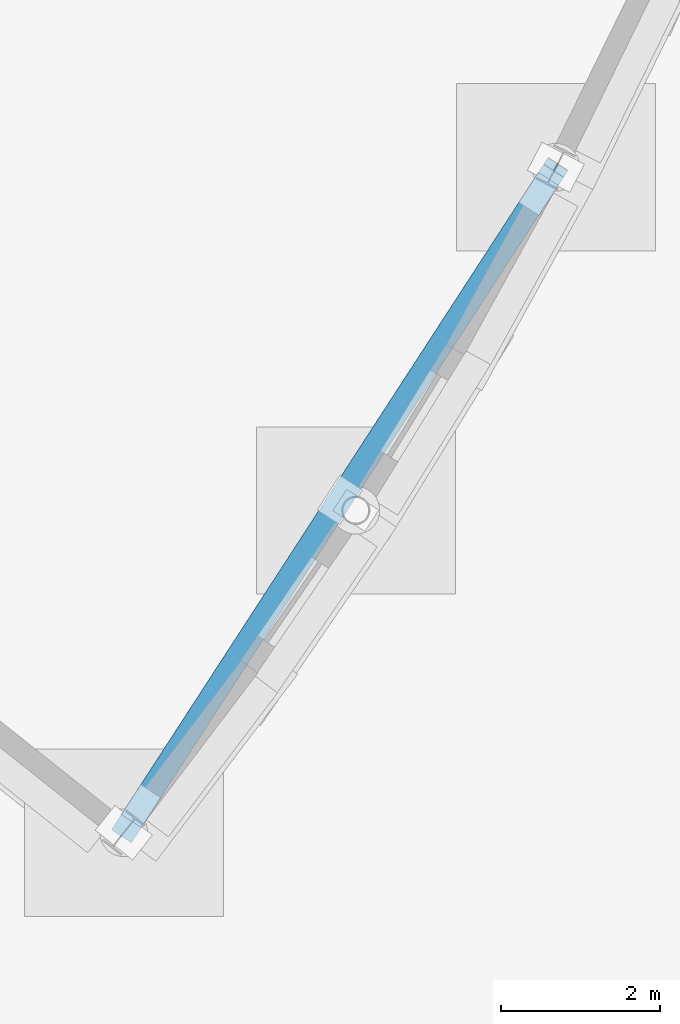
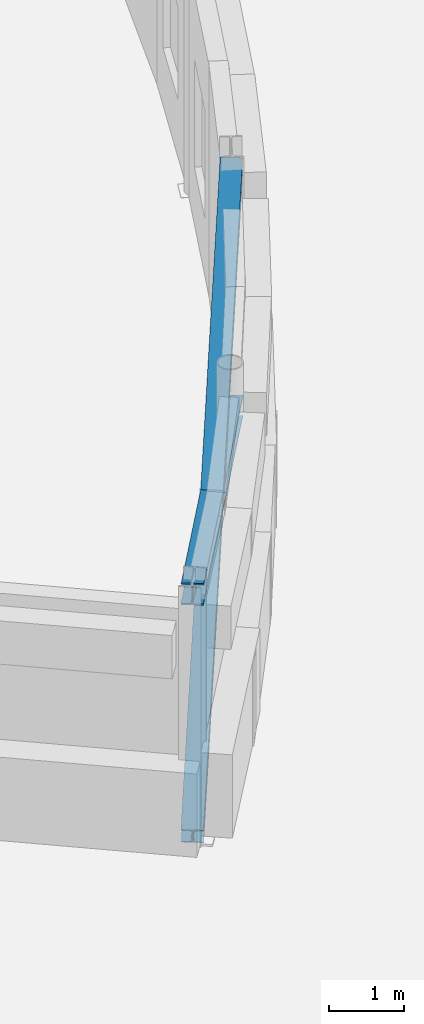
# One storey, part 37 of 88: 3 members.
"""IFC4 building model written with IfcOpenShell, lengths in metres."""

from ifc_helpers import new_model, si_unit, direction, frame, origin, origin_2d, place, context, subcontext, project, spatial, i_section, extrude, material, material_profile, profile_set, type_object, element, save


model = new_model("IFC4")

# Units and contexts
model_context = context("Model", 3, precision=1e-05, world=origin(), true_north=direction((0.0, 1.0)))
body_context = subcontext(model_context, "Body", "Model", "MODEL_VIEW")
ifc_project = project(units=[si_unit("LENGTHUNIT", "METRE"), si_unit("AREAUNIT", "SQUARE_METRE"), si_unit("VOLUMEUNIT", "CUBIC_METRE"), si_unit("PLANEANGLEUNIT", "RADIAN"), si_unit("MASSUNIT", "GRAM", prefix="KILO")], contexts=[model_context])

# Site, building, storey
site_placement = place(None, origin())
site = spatial("IfcSite", under=ifc_project, at=site_placement, CompositionType="ELEMENT")
building_placement = place(site_placement, origin())
building = spatial("IfcBuilding", under=site, at=building_placement, Name="Vanh Quang Courtyard School", CompositionType="ELEMENT")
storey_placement = place(building_placement, origin())
storey = spatial("IfcBuildingStorey", under=building, at=storey_placement, Name="L00", CompositionType="ELEMENT", Elevation=0.0)

# Members
ifc_material = material(Name="Structural steel EN 10025-2 S355J2", Category="steel")
ifc_material_profile = material_profile(ifc_material, i_section(OverallWidth=0.300048828125, OverallDepth=0.300048828125, WebThickness=0.010986328125, FlangeThickness=0.01904296875, FilletRadius=0.027099609375, at=origin_2d()), Name="HEB 300")
ifc_profile_set = profile_set([ifc_material_profile], Name="Structural steel EN 10025-2 S355J2")
member_type = type_object("IfcMemberType", Name="MEM-BRC-HEB300", PredefinedType="BRACE", material=ifc_profile_set)
member_placement = place(storey_placement, frame((152.695556640625, 23.629150390625, 0.0), z_axis=(0.506855405775, 0.780489400753, 0.365969797865), x_axis=(-0.83867073359, 0.544638779944, 0.0)))
element("IfcMember", 1, at=member_placement, inside=storey, type_object=member_type, Name="Structural Member MB-09 (L00)", PredefinedType="BRACE", context=body_context, shape_type="SweptSolid", body=[
    extrude(i_section(OverallWidth=0.300048828125, OverallDepth=0.300048828125, WebThickness=0.010986328125, FlangeThickness=0.01904296875, FilletRadius=0.027099609375, at=origin_2d()), origin(), (0.0, 0.0, 1.0), 10.7109375),
])
for number, where, z_axis, x_axis, name in (
    (2, (158.12451171875, 31.989013671875, 0.0), (-0.506838467808, -0.780498417642, 0.365974025865), (0.838681921046, -0.544621552374, 0.0), "Structural Member MB-09 (L00)"),
    (3, (155.41015625, 27.80908203125, 1.9599609375), (-0.506872343154, -0.780480383771, 0.365965569821), (0.838659546079, -0.544656006825, 0.0), "Structural Member MB-09 (L00)"),
):
    element("IfcMember", number, at=place(storey_placement, frame(where, z_axis=z_axis, x_axis=x_axis)), inside=storey, type_object=member_type, Name=name, PredefinedType="BRACE", context=body_context, shape_type="SweptSolid", body=[
        extrude(i_section(OverallWidth=0.300048828125, OverallDepth=0.300048828125, WebThickness=0.010986328125, FlangeThickness=0.01904296875, FilletRadius=0.027099609375, at=origin_2d()), origin(), (0.0, 0.0, 1.0), 5.35546875),
    ])

save(model, "model.ifc")
